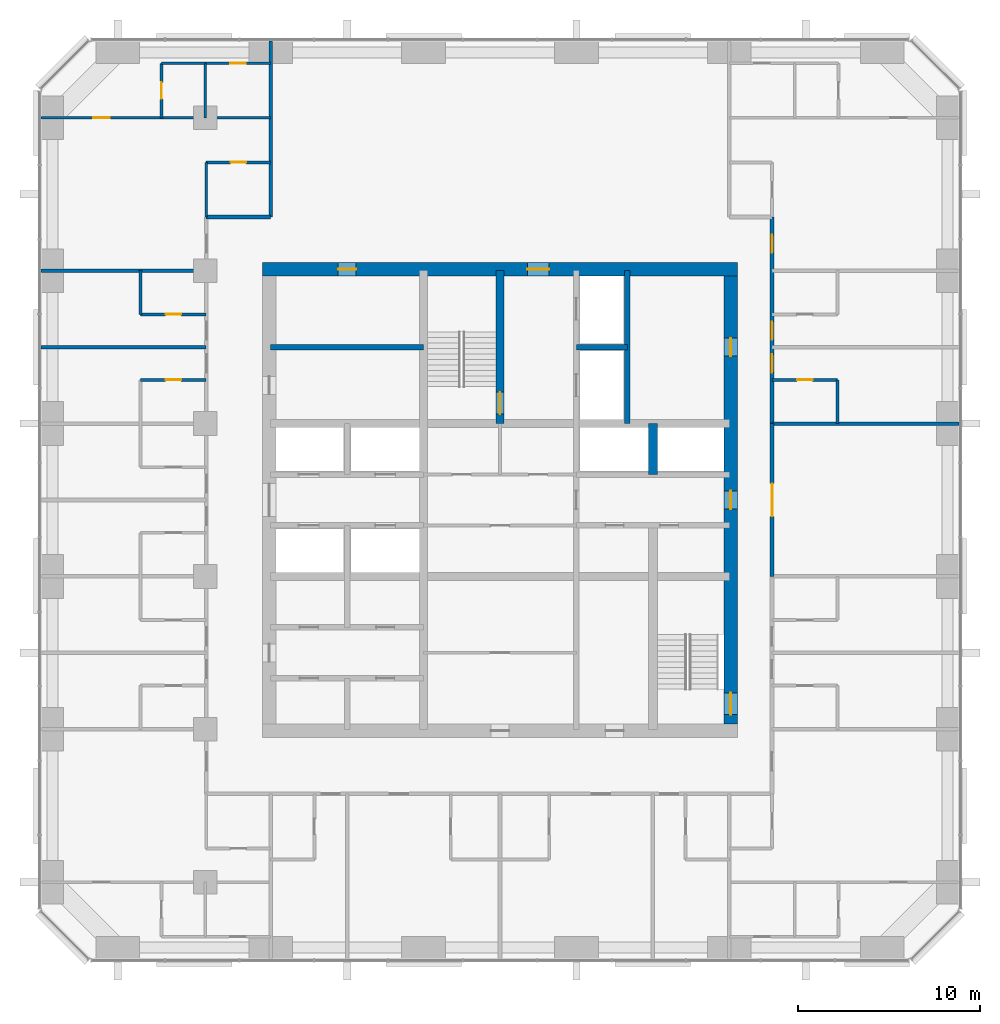
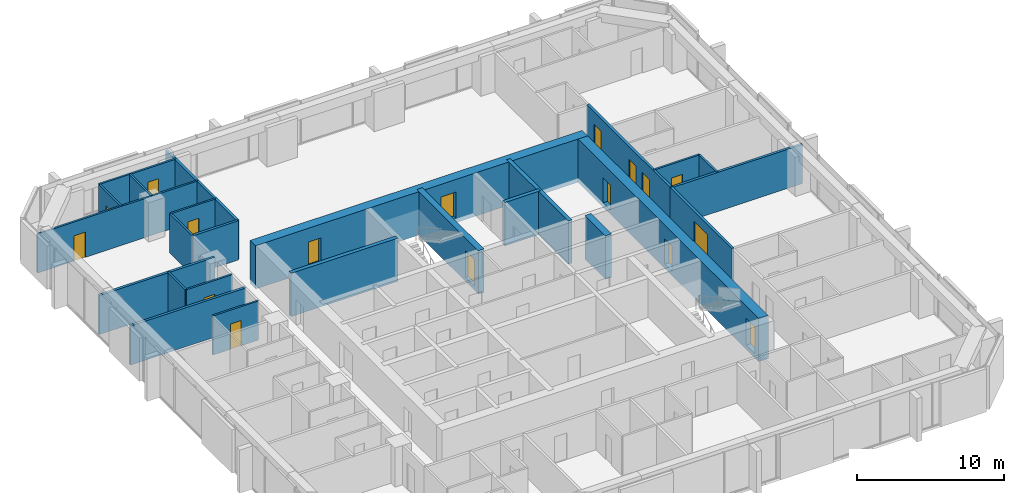
# One storey, part 11 of 13: 26 walls, 17 doors, 17 openings.
"""IFC4 building model written with IfcOpenShell, lengths in metres."""

from ifc_helpers import new_model, si_unit, direction, frame, frame_2d, origin, place, context, subcontext, project, spatial, rectangle, extrude, material, layer, layer_set, type_object, element, fill, save


model = new_model("IFC4")

# Units and contexts
model_context = context("Model", 3, precision=1e-05, world=origin(), true_north=direction((0.0, 1.0)))
body_context = subcontext(model_context, "Body", "Model", "MODEL_VIEW")
ifc_project = project(units=[si_unit("LENGTHUNIT", "METRE"), si_unit("AREAUNIT", "SQUARE_METRE"), si_unit("VOLUMEUNIT", "CUBIC_METRE"), si_unit("PLANEANGLEUNIT", "RADIAN"), si_unit("MASSUNIT", "GRAM", prefix="KILO")], contexts=[model_context])

# Site, building, storey
site_placement = place(None, origin())
site = spatial("IfcSite", under=ifc_project, at=site_placement, CompositionType="ELEMENT")
building_placement = place(site_placement, origin())
building = spatial("IfcBuilding", under=site, at=building_placement, Name="Dunama Terrace Hotel", CompositionType="ELEMENT")
storey_placement = place(building_placement, frame((0.0, 0.0, 169.800048828125)))
storey = spatial("IfcBuildingStorey", under=building, at=storey_placement, Name="L43", CompositionType="ELEMENT", Elevation=169.800048828125)

# Walls
ifc_material_1 = material(Name="Gypsum board partition", Category="masonry")
ifc_layer_1 = layer(ifc_material_1, 0.14990234375)
ifc_layer_set_1 = layer_set([ifc_layer_1], Name="Bathroom partition 150")
wall_type_1 = type_object("IfcWallType", Name="Bathroom partition 150", PredefinedType="PARTITIONING", material=ifc_layer_set_1)
wall_1_placement = place(storey_placement, frame((9.64990234375, 39.60009765625, 0.0), z_axis=(0.0, 0.0, 1.0), x_axis=(0.0, 1.0, 0.0)))
element("IfcWall", 1, at=wall_1_placement, inside=storey, type_object=wall_type_1, Name="Bathroom partition 150 L43", PredefinedType="PARTITIONING", context=body_context, shape_type="SweptSolid", body=[
    extrude(rectangle(XDim=2.39990234375, YDim=0.14990234375, at=frame_2d((1.199951171875, 0.0))), origin(), (0.0, 0.0, 1.0), 3.25),
])
wall_2_placement = place(storey_placement, frame((13.25, 44.949951171875, 0.0), z_axis=(0.0, 0.0, 1.0), x_axis=(0.0, 1.0, 0.0)))
element("IfcWall", 2, at=wall_2_placement, inside=storey, type_object=wall_type_1, Name="Bathroom partition 150 L43", PredefinedType="PARTITIONING", context=body_context, shape_type="SweptSolid", body=[
    extrude(rectangle(XDim=3.0, YDim=0.14990234375, at=frame_2d((1.5, 0.0))), origin(), (0.0, 0.0, 1.0), 3.25),
])
wall_3_placement = place(storey_placement, frame((47.949951171875, 33.60009765625, 0.0), z_axis=(0.0, 0.0, 1.0), x_axis=(0.0, 1.0, 0.0)))
element("IfcWall", 3, at=wall_3_placement, inside=storey, type_object=wall_type_1, Name="Bathroom partition 150 L43", PredefinedType="PARTITIONING", context=body_context, shape_type="SweptSolid", body=[
    extrude(rectangle(XDim=2.39990234375, YDim=0.14990234375, at=frame_2d((1.199951171875, 0.0))), origin(), (0.0, 0.0, 1.0), 3.25),
])

# Wall, opening, door
wall_4_placement = place(storey_placement, frame((9.64990234375, 36.0, 0.0), z_axis=(0.0, 0.0, 1.0), x_axis=(1.0, 0.0, 0.0)))
wall_4 = element("IfcWall", 4, at=wall_4_placement, inside=storey, type_object=wall_type_1, Name="Bathroom partition 150 L43", PredefinedType="PARTITIONING", context=body_context, shape_type="SweptSolid", body=[
    extrude(rectangle(XDim=3.60009765625, YDim=0.14990234375, at=frame_2d((1.800048828125, 0.0))), origin(), (0.0, 0.0, 1.0), 3.25),
])
opening_1_placement = place(wall_4_placement, frame((1.375, 0.0, 0.0)))
opening_1 = element("IfcOpeningElement", 5, at=opening_1_placement, cuts=wall_4, Name="Opening L42-44-035", PredefinedType="OPENING", context=body_context, shape_type="SweptSolid", body=[
    extrude(rectangle(XDim=0.85009765625, YDim=2.10009765625, at=frame_2d((0.425048828125, 1.050048828125))), frame((0.0, 0.0849609375, 0.0), z_axis=(0.0, -1.0, 0.0), x_axis=(1.0, 0.0, 0.0)), (0.0, 0.0, 1.0), 0.169921875),
])
ifc_material_2 = material(Name="Timber door with steel frame", Category="steel")
door_type_1 = type_object("IfcDoorType", Name="Bathroom door 850", OperationType="SINGLE_SWING_LEFT", PredefinedType="DOOR", material=ifc_material_2)
door_1_placement = place(opening_1_placement, frame((0.85009765625, 0.0, 0.0), z_axis=(0.0, 0.0, 1.0), x_axis=(-1.0, 0.0, 0.0)))
door_1 = element("IfcDoor", 6, at=door_1_placement, inside=storey, type_object=door_type_1, Name="Door to en-suite bathroom L42-44-035, type D2", OperationType="SINGLE_SWING_LEFT", OverallHeight=2.10009765625, OverallWidth=0.85009765625, PredefinedType="DOOR", context=body_context, shape_type="SweptSolid", body=[
    extrude(rectangle(XDim=0.85009765625, YDim=2.10009765625, at=frame_2d((0.425048828125, 1.050048828125))), frame((0.0, 0.025146484375, 0.0), z_axis=(0.0, -1.0, 0.0), x_axis=(1.0, 0.0, 0.0)), (0.0, 0.0, 1.0), 0.050048828125),
])
fill(opening_1, door_1)

wall_5_placement = place(storey_placement, frame((44.35009765625, 36.0, 0.0), z_axis=(0.0, 0.0, 1.0), x_axis=(1.0, 0.0, 0.0)))
wall_5 = element("IfcWall", 7, at=wall_5_placement, inside=storey, type_object=wall_type_1, Name="Bathroom partition 150 L43", PredefinedType="PARTITIONING", context=body_context, shape_type="SweptSolid", body=[
    extrude(rectangle(XDim=3.599853515625, YDim=0.14990234375, at=frame_2d((1.7998046875, 0.0))), origin(), (0.0, 0.0, 1.0), 3.25),
])
opening_2_placement = place(wall_5_placement, frame((1.375, 0.0, 0.0)))
opening_2 = element("IfcOpeningElement", 8, at=opening_2_placement, cuts=wall_5, Name="Opening L42-44-023", PredefinedType="OPENING", context=body_context, shape_type="SweptSolid", body=[
    extrude(rectangle(XDim=0.85009765625, YDim=2.10009765625, at=frame_2d((0.425048828125, 1.050048828125))), frame((0.0, 0.0849609375, 0.0), z_axis=(0.0, -1.0, 0.0), x_axis=(1.0, 0.0, 0.0)), (0.0, 0.0, 1.0), 0.169921875),
])
door_2_placement = place(opening_2_placement, frame((0.85009765625, 0.0, 0.0), z_axis=(0.0, 0.0, 1.0), x_axis=(-1.0, 0.0, 0.0)))
door_2 = element("IfcDoor", 9, at=door_2_placement, inside=storey, type_object=door_type_1, Name="Door to en-suite bathroom L42-44-023, type D2", OperationType="SINGLE_SWING_RIGHT", OverallHeight=2.10009765625, OverallWidth=0.85009765625, PredefinedType="DOOR", context=body_context, shape_type="SweptSolid", body=[
    extrude(rectangle(XDim=0.85009765625, YDim=2.10009765625, at=frame_2d((0.425048828125, 1.050048828125))), frame((0.0, 0.025146484375, 0.0), z_axis=(0.0, -1.0, 0.0), x_axis=(1.0, 0.0, 0.0)), (0.0, 0.0, 1.0), 0.050048828125),
])
fill(opening_2, door_2)

wall_6_placement = place(storey_placement, frame((9.64990234375, 39.60009765625, 0.0), z_axis=(0.0, 0.0, 1.0), x_axis=(1.0, 0.0, 0.0)))
wall_6 = element("IfcWall", 10, at=wall_6_placement, inside=storey, type_object=wall_type_1, Name="Bathroom partition 150 L43", PredefinedType="PARTITIONING", context=body_context, shape_type="SweptSolid", body=[
    extrude(rectangle(XDim=3.60009765625, YDim=0.14990234375, at=frame_2d((1.800048828125, 0.0))), origin(), (0.0, 0.0, 1.0), 3.25),
])
opening_3_placement = place(wall_6_placement, frame((1.375, 0.0, 0.0)))
opening_3 = element("IfcOpeningElement", 11, at=opening_3_placement, cuts=wall_6, Name="Opening L42-44-037", PredefinedType="OPENING", context=body_context, shape_type="SweptSolid", body=[
    extrude(rectangle(XDim=0.85009765625, YDim=2.10009765625, at=frame_2d((0.425048828125, 1.050048828125))), frame((0.0, 0.0849609375, 0.0), z_axis=(0.0, -1.0, 0.0), x_axis=(1.0, 0.0, 0.0)), (0.0, 0.0, 1.0), 0.169921875),
])
door_3_placement = place(opening_3_placement, origin())
door_3 = element("IfcDoor", 12, at=door_3_placement, inside=storey, type_object=door_type_1, Name="Door to en-suite bathroom L42-44-037, type D2", OperationType="SINGLE_SWING_RIGHT", OverallHeight=2.10009765625, OverallWidth=0.85009765625, PredefinedType="DOOR", context=body_context, shape_type="SweptSolid", body=[
    extrude(rectangle(XDim=0.85009765625, YDim=2.10009765625, at=frame_2d((0.425048828125, 1.050048828125))), frame((0.0, 0.02490234375, 0.0), z_axis=(0.0, -1.0, 0.0), x_axis=(1.0, 0.0, 0.0)), (0.0, 0.0, 1.0), 0.050048828125),
])
fill(opening_3, door_3)

wall_7_placement = place(storey_placement, frame((13.25, 47.949951171875, 0.0), z_axis=(0.0, 0.0, 1.0), x_axis=(1.0, 0.0, 0.0)))
wall_7 = element("IfcWall", 13, at=wall_7_placement, inside=storey, type_object=wall_type_1, Name="Bathroom partition 150 L43", PredefinedType="PARTITIONING", context=body_context, shape_type="SweptSolid", body=[
    extrude(rectangle(XDim=3.550048828125, YDim=0.14990234375, at=frame_2d((1.77490234375, 0.0))), origin(), (0.0, 0.0, 1.0), 3.25),
])
opening_4_placement = place(wall_7_placement, frame((1.35009765625, 0.0, 0.0)))
opening_4 = element("IfcOpeningElement", 14, at=opening_4_placement, cuts=wall_7, Name="Opening L42-44-054", PredefinedType="OPENING", context=body_context, shape_type="SweptSolid", body=[
    extrude(rectangle(XDim=0.85009765625, YDim=2.10009765625, at=frame_2d((0.425048828125, 1.050048828125))), frame((0.0, 0.0849609375, 0.0), z_axis=(0.0, -1.0, 0.0), x_axis=(1.0, 0.0, 0.0)), (0.0, 0.0, 1.0), 0.169921875),
])
door_4_placement = place(opening_4_placement, frame((0.85009765625, 0.0, 0.0), z_axis=(0.0, 0.0, 1.0), x_axis=(-1.0, 0.0, 0.0)))
door_4 = element("IfcDoor", 15, at=door_4_placement, inside=storey, type_object=door_type_1, Name="Door to powder room L42-44-054, type D2", OperationType="SINGLE_SWING_LEFT", OverallHeight=2.10009765625, OverallWidth=0.85009765625, PredefinedType="DOOR", context=body_context, shape_type="SweptSolid", body=[
    extrude(rectangle(XDim=0.85009765625, YDim=2.10009765625, at=frame_2d((0.425048828125, 1.050048828125))), frame((0.0, 0.025146484375, 0.0), z_axis=(0.0, -1.0, 0.0), x_axis=(1.0, 0.0, 0.0)), (0.0, 0.0, 1.0), 0.050048828125),
])
fill(opening_4, door_4)

wall_8_placement = place(storey_placement, frame((13.199951171875, 53.39990234375, 0.0), z_axis=(0.0, 0.0, 1.0), x_axis=(1.0, 0.0, 0.0)))
wall_8 = element("IfcWall", 16, at=wall_8_placement, inside=storey, type_object=wall_type_1, Name="Bathroom partition 150 L43", PredefinedType="PARTITIONING", context=body_context, shape_type="SweptSolid", body=[
    extrude(rectangle(XDim=3.60009765625, YDim=0.14990234375, at=frame_2d((1.800048828125, 0.0))), origin(), (0.0, 0.0, 1.0), 3.25),
])
opening_5_placement = place(wall_8_placement, frame((1.375, 0.0, 0.0)))
opening_5 = element("IfcOpeningElement", 17, at=opening_5_placement, cuts=wall_8, Name="Opening L42-44-056", PredefinedType="OPENING", context=body_context, shape_type="SweptSolid", body=[
    extrude(rectangle(XDim=0.85009765625, YDim=2.10009765625, at=frame_2d((0.425048828125, 1.050048828125))), frame((0.0, 0.0849609375, 0.0), z_axis=(0.0, -1.0, 0.0), x_axis=(1.0, 0.0, 0.0)), (0.0, 0.0, 1.0), 0.169921875),
])
door_5_placement = place(opening_5_placement, frame((0.85009765625, 0.0, 0.0), z_axis=(0.0, 0.0, 1.0), x_axis=(-1.0, 0.0, 0.0)))
door_5 = element("IfcDoor", 18, at=door_5_placement, inside=storey, type_object=door_type_1, Name="Door to en-suite bathroom L42-44-056, type D2", OperationType="SINGLE_SWING_LEFT", OverallHeight=2.10009765625, OverallWidth=0.85009765625, PredefinedType="DOOR", context=body_context, shape_type="SweptSolid", body=[
    extrude(rectangle(XDim=0.85009765625, YDim=2.10009765625, at=frame_2d((0.425048828125, 1.050048828125))), frame((0.0, 0.025146484375, 0.0), z_axis=(0.0, -1.0, 0.0), x_axis=(1.0, 0.0, 0.0)), (0.0, 0.0, 1.0), 0.050048828125),
])
fill(opening_5, door_5)

# Walls
ifc_material_3 = material(Name="Concrete C50/60", Category="concrete")
ifc_layer_2 = layer(ifc_material_3, 0.300048828125)
ifc_layer_set_2 = layer_set([ifc_layer_2], Name="Core inner wall 300")
wall_type_2 = type_object("IfcWallType", Name="Core inner wall 300", PredefinedType="SHEAR", material=ifc_layer_set_2)
for number, where, z_axis, x_axis, name in (
    (19, (36.39990234375, 33.60009765625, -0.35009765625), (0.0, 0.0, 1.0), (0.0, 1.0, 0.0), "Core inner wall 300 L43"),
    (20, (16.800048828125, 37.800048828125, -0.35009765625), (0.0, 0.0, 1.0), (1.0, 0.0, 0.0), "Core inner wall 300 L43"),
):
    element("IfcWall", number, at=place(storey_placement, frame(where, z_axis=z_axis, x_axis=x_axis)), inside=storey, type_object=wall_type_2, Name=name, PredefinedType="SHEAR", context=body_context, shape_type="SweptSolid", body=[
        extrude(rectangle(XDim=8.39990234375, YDim=0.300048828125, at=frame_2d((4.199951171875, 0.0))), origin(), (0.0, 0.0, 1.0), 3.60009765625),
    ])
wall_9_placement = place(storey_placement, frame((33.60009765625, 37.800048828125, -0.35009765625), z_axis=(0.0, 0.0, 1.0), x_axis=(1.0, 0.0, 0.0)))
element("IfcWall", 21, at=wall_9_placement, inside=storey, type_object=wall_type_2, Name="Core inner wall 300 L43", PredefinedType="SHEAR", context=body_context, shape_type="SweptSolid", body=[
    extrude(rectangle(XDim=2.7998046875, YDim=0.300048828125, at=frame_2d((1.39990234375, 0.0))), origin(), (0.0, 0.0, 1.0), 3.60009765625),
])

# Wall, opening, door
ifc_material_4 = material(Name="Concrete C50/60", Category="concrete")
ifc_layer_3 = layer(ifc_material_4, 0.449951171875)
ifc_layer_set_3 = layer_set([ifc_layer_3], Name="Core inner wall 450")
wall_type_3 = type_object("IfcWallType", Name="Core inner wall 450", PredefinedType="SHEAR", material=ifc_layer_set_3)
wall_10_placement = place(storey_placement, frame((29.39990234375, 33.60009765625, -0.35009765625), z_axis=(0.0, 0.0, 1.0), x_axis=(0.0, 1.0, 0.0)))
wall_10 = element("IfcWall", 22, at=wall_10_placement, inside=storey, type_object=wall_type_3, Name="Core inner wall 450 L43", PredefinedType="SHEAR", context=body_context, shape_type="SweptSolid", body=[
    extrude(rectangle(XDim=8.39990234375, YDim=0.449951171875, at=frame_2d((4.199951171875, 0.0))), origin(), (0.0, 0.0, 1.0), 3.60009765625),
])
opening_6_placement = place(wall_10_placement, frame((0.52490234375, 0.0, 0.35009765625)))
opening_6 = element("IfcOpeningElement", 23, at=opening_6_placement, cuts=wall_10, Name="Opening L42-44-001", PredefinedType="OPENING", context=body_context, shape_type="SweptSolid", body=[
    extrude(rectangle(XDim=1.199951171875, YDim=2.199951171875, at=frame_2d((0.60009765625, 1.10009765625))), frame((0.0, 0.23486328125, 0.0), z_axis=(0.0, -1.0, 0.0), x_axis=(1.0, 0.0, 0.0)), (0.0, 0.0, 1.0), 0.469970703125),
])
ifc_material_5 = material(Name="Timber door with steel frame", Category="steel")
door_type_2 = type_object("IfcDoorType", Name="Stair door 1200", OperationType="SINGLE_SWING_LEFT", PredefinedType="DOOR", material=ifc_material_5)
door_6_placement = place(opening_6_placement, origin())
door_6 = element("IfcDoor", 24, at=door_6_placement, inside=storey, type_object=door_type_2, Name="Stair door ST1 L42-44-001, type D5", OperationType="SINGLE_SWING_LEFT", OverallHeight=2.199951171875, OverallWidth=1.199951171875, PredefinedType="DOOR", context=body_context, shape_type="SweptSolid", body=[
    extrude(rectangle(XDim=1.199951171875, YDim=2.199951171875, at=frame_2d((0.60009765625, 1.10009765625))), frame((0.0, 0.02490234375, 0.0), z_axis=(0.0, -1.0, 0.0), x_axis=(1.0, 0.0, 0.0)), (0.0, 0.0, 1.0), 0.050048828125),
])
fill(opening_6, door_6)

# Wall
ifc_material_6 = material(Name="Concrete C50/60", Category="concrete")
ifc_layer_4 = layer(ifc_material_6, 0.5)
ifc_layer_set_4 = layer_set([ifc_layer_4], Name="Core inner wall 500")
wall_type_4 = type_object("IfcWallType", Name="Core inner wall 500", PredefinedType="SHEAR", material=ifc_layer_set_4)
wall_11_placement = place(storey_placement, frame((37.800048828125, 30.800048828125, -0.35009765625), z_axis=(0.0, 0.0, 1.0), x_axis=(0.0, 1.0, 0.0)))
element("IfcWall", 25, at=wall_11_placement, inside=storey, type_object=wall_type_4, Name="Core inner wall 500 L43", PredefinedType="SHEAR", context=body_context, shape_type="SweptSolid", body=[
    extrude(rectangle(XDim=2.800048828125, YDim=0.5, at=frame_2d((1.39990234375, 0.0))), origin(), (0.0, 0.0, 1.0), 3.60009765625),
])

# Wall, openings, doors
ifc_material_7 = material(Name="Concrete C60/75", Category="concrete")
ifc_layer_5 = layer(ifc_material_7, 0.75)
ifc_layer_set_5 = layer_set([ifc_layer_5], Name="Core wall 750")
wall_type_5 = type_object("IfcWallType", Name="Core wall 750", PredefinedType="SHEAR", material=ifc_layer_set_5)
wall_12_placement = place(storey_placement, frame((42.074951171875, 17.10009765625, -0.35009765625), z_axis=(0.0, 0.0, 1.0), x_axis=(0.0, 1.0, 0.0)))
wall_12 = element("IfcWall", 26, at=wall_12_placement, inside=storey, type_object=wall_type_5, Name="Core wall east L43", PredefinedType="SHEAR", context=body_context, shape_type="SweptSolid", body=[
    extrude(rectangle(XDim=24.599853515625, YDim=0.75, at=frame_2d((12.2998046875, 0.0))), origin(), (0.0, 0.0, 1.0), 3.60009765625),
])
opening_7_placement = place(wall_12_placement, frame((0.5, 0.0, 0.35009765625)))
opening_7 = element("IfcOpeningElement", 27, at=opening_7_placement, cuts=wall_12, Name="Opening L42-44-002", PredefinedType="OPENING", context=body_context, shape_type="SweptSolid", body=[
    extrude(rectangle(XDim=1.199951171875, YDim=2.199951171875, at=frame_2d((0.60009765625, 1.10009765625))), frame((0.0, 0.385009765625, 0.0), z_axis=(0.0, -1.0, 0.0), x_axis=(1.0, 0.0, 0.0)), (0.0, 0.0, 1.0), 0.77001953125),
])
opening_8_placement = place(wall_12_placement, frame((11.800048828125, 0.0, 0.35009765625)))
opening_8 = element("IfcOpeningElement", 28, at=opening_8_placement, cuts=wall_12, Name="Opening L42-44-072", PredefinedType="OPENING", context=body_context, shape_type="SweptSolid", body=[
    extrude(rectangle(XDim=1.0, YDim=2.10009765625, at=frame_2d((0.5, 1.050048828125))), frame((0.0, 0.385009765625, 0.0), z_axis=(0.0, -1.0, 0.0), x_axis=(1.0, 0.0, 0.0)), (0.0, 0.0, 1.0), 0.77001953125),
])
opening_9_placement = place(wall_12_placement, frame((20.199951171875, 0.0, 0.35009765625)))
opening_9 = element("IfcOpeningElement", 29, at=opening_9_placement, cuts=wall_12, Name="Opening L42-44-074", PredefinedType="OPENING", context=body_context, shape_type="SweptSolid", body=[
    extrude(rectangle(XDim=1.0, YDim=2.10009765625, at=frame_2d((0.5, 1.050048828125))), frame((0.0, 0.385009765625, 0.0), z_axis=(0.0, -1.0, 0.0), x_axis=(1.0, 0.0, 0.0)), (0.0, 0.0, 1.0), 0.77001953125),
])
ifc_material_8 = material(Name="Timber door with steel frame", Category="steel")
door_type_3 = type_object("IfcDoorType", Name="Service door 1000", OperationType="SINGLE_SWING_LEFT", PredefinedType="DOOR", material=ifc_material_8)
door_7_placement = place(opening_8_placement, origin())
door_7 = element("IfcDoor", 30, at=door_7_placement, inside=storey, type_object=door_type_3, Name="Door to service lobby L42-44-072, type D7", OperationType="SINGLE_SWING_RIGHT", OverallHeight=2.10009765625, OverallWidth=1.0, PredefinedType="DOOR", context=body_context, shape_type="SweptSolid", body=[
    extrude(rectangle(XDim=1.0, YDim=2.10009765625, at=frame_2d((0.5, 1.050048828125))), frame((0.0, 0.02490234375, 0.0), z_axis=(0.0, -1.0, 0.0), x_axis=(1.0, 0.0, 0.0)), (0.0, 0.0, 1.0), 0.050048828125),
])
fill(opening_8, door_7)
door_8_placement = place(opening_9_placement, origin())
door_8 = element("IfcDoor", 31, at=door_8_placement, inside=storey, type_object=door_type_3, Name="Door to ice and vending room L42-44-074, type D7", OperationType="SINGLE_SWING_LEFT", OverallHeight=2.10009765625, OverallWidth=1.0, PredefinedType="DOOR", context=body_context, shape_type="SweptSolid", body=[
    extrude(rectangle(XDim=1.0, YDim=2.10009765625, at=frame_2d((0.5, 1.050048828125))), frame((0.0, 0.02490234375, 0.0), z_axis=(0.0, -1.0, 0.0), x_axis=(1.0, 0.0, 0.0)), (0.0, 0.0, 1.0), 0.050048828125),
])
fill(opening_9, door_8)
door_9_placement = place(opening_7_placement, origin())
door_9 = element("IfcDoor", 32, at=door_9_placement, inside=storey, type_object=door_type_2, Name="Stair door ST2 L42-44-002, type D5", OperationType="SINGLE_SWING_LEFT", OverallHeight=2.199951171875, OverallWidth=1.199951171875, PredefinedType="DOOR", context=body_context, shape_type="SweptSolid", body=[
    extrude(rectangle(XDim=1.199951171875, YDim=2.199951171875, at=frame_2d((0.60009765625, 1.10009765625))), frame((0.0, 0.02490234375, 0.0), z_axis=(0.0, -1.0, 0.0), x_axis=(1.0, 0.0, 0.0)), (0.0, 0.0, 1.0), 0.050048828125),
])
fill(opening_7, door_9)

wall_13_placement = place(storey_placement, frame((42.449951171875, 42.074951171875, -0.35009765625), z_axis=(0.0, 0.0, 1.0), x_axis=(-1.0, 0.0, 0.0)))
wall_13 = element("IfcWall", 33, at=wall_13_placement, inside=storey, type_object=wall_type_5, Name="Core wall north L43", PredefinedType="SHEAR", context=body_context, shape_type="SweptSolid", body=[
    extrude(rectangle(XDim=26.099853515625, YDim=0.75, at=frame_2d((13.0498046875, 0.0))), origin(), (0.0, 0.0, 1.0), 3.60009765625),
])
opening_10_placement = place(wall_13_placement, frame((20.949951171875, 0.0, 0.35009765625)))
opening_10 = element("IfcOpeningElement", 34, at=opening_10_placement, cuts=wall_13, Name="Opening L42-44-065", PredefinedType="OPENING", context=body_context, shape_type="SweptSolid", body=[
    extrude(rectangle(XDim=1.0, YDim=2.10009765625, at=frame_2d((0.5, 1.050048828125))), frame((0.0, 0.385009765625, 0.0), z_axis=(0.0, -1.0, 0.0), x_axis=(1.0, 0.0, 0.0)), (0.0, 0.0, 1.0), 0.77001953125),
])
opening_11_placement = place(wall_13_placement, frame((10.35009765625, 0.0, 0.35009765625)))
opening_11 = element("IfcOpeningElement", 35, at=opening_11_placement, cuts=wall_13, Name="Opening L42-44-073", PredefinedType="OPENING", context=body_context, shape_type="SweptSolid", body=[
    extrude(rectangle(XDim=1.199951171875, YDim=2.199951171875, at=frame_2d((0.60009765625, 1.10009765625))), frame((0.0, 0.385009765625, 0.0), z_axis=(0.0, -1.0, 0.0), x_axis=(1.0, 0.0, 0.0)), (0.0, 0.0, 1.0), 0.77001953125),
])
ifc_material_9 = material(Name="Timber door with steel frame", Category="steel")
door_type_4 = type_object("IfcDoorType", Name="Firefighting lobby door 1200", OperationType="SINGLE_SWING_LEFT", PredefinedType="DOOR", material=ifc_material_9)
door_10_placement = place(opening_11_placement, origin())
door_10 = element("IfcDoor", 36, at=door_10_placement, inside=storey, type_object=door_type_4, Name="Door to firefighting lobby L42-44-073, type D4", OperationType="SINGLE_SWING_RIGHT", OverallHeight=2.199951171875, OverallWidth=1.199951171875, PredefinedType="DOOR", context=body_context, shape_type="SweptSolid", body=[
    extrude(rectangle(XDim=1.199951171875, YDim=2.199951171875, at=frame_2d((0.60009765625, 1.10009765625))), frame((0.0, 0.02490234375, 0.0), z_axis=(0.0, -1.0, 0.0), x_axis=(1.0, 0.0, 0.0)), (0.0, 0.0, 1.0), 0.050048828125),
])
fill(opening_11, door_10)
door_11_placement = place(opening_10_placement, origin())
door_11 = element("IfcDoor", 37, at=door_11_placement, inside=storey, type_object=door_type_3, Name="Door to communications and riser room L42-44-065, type D7", OperationType="SINGLE_SWING_LEFT", OverallHeight=2.10009765625, OverallWidth=1.0, PredefinedType="DOOR", context=body_context, shape_type="SweptSolid", body=[
    extrude(rectangle(XDim=1.0, YDim=2.10009765625, at=frame_2d((0.5, 1.050048828125))), frame((0.0, 0.02490234375, 0.0), z_axis=(0.0, -1.0, 0.0), x_axis=(1.0, 0.0, 0.0)), (0.0, 0.0, 1.0), 0.050048828125),
])
fill(opening_10, door_11)

# Wall
ifc_material_10 = material(Name="Concrete blockwork", Category="masonry")
ifc_layer_6 = layer(ifc_material_10, 0.199951171875)
ifc_layer_set_6 = layer_set([ifc_layer_6], Name="Corridor partition 200")
wall_type_6 = type_object("IfcWallType", Name="Corridor partition 200", PredefinedType="PARTITIONING", material=ifc_layer_set_6)
wall_14_placement = place(storey_placement, frame((16.800048828125, 44.949951171875, 0.0), z_axis=(0.0, 0.0, 1.0), x_axis=(0.0, 1.0, 0.0)))
element("IfcWall", 38, at=wall_14_placement, inside=storey, type_object=wall_type_6, Name="Corridor partition 200 L43", PredefinedType="PARTITIONING", context=body_context, shape_type="SweptSolid", body=[
    extrude(rectangle(XDim=9.66796875, YDim=0.199951171875, at=frame_2d((4.833984375, 0.0))), origin(), (0.0, 0.0, 1.0), 3.25),
])

# Wall, opening, door
wall_15_placement = place(storey_placement, frame((44.35009765625, 25.199951171875, 0.0), z_axis=(0.0, 0.0, 1.0), x_axis=(0.0, 1.0, 0.0)))
wall_15 = element("IfcWall", 39, at=wall_15_placement, inside=storey, type_object=wall_type_6, Name="Corridor partition 200 L43", PredefinedType="PARTITIONING", context=body_context, shape_type="SweptSolid", body=[
    extrude(rectangle(XDim=8.400146484375, YDim=0.199951171875, at=frame_2d((4.2001953125, 0.0))), origin(), (0.0, 0.0, 1.0), 3.25),
])
opening_12_placement = place(wall_15_placement, frame((3.300048828125, 0.0, 0.0)))
opening_12 = element("IfcOpeningElement", 40, at=opening_12_placement, cuts=wall_15, Name="Opening L42-44-021", PredefinedType="OPENING", context=body_context, shape_type="SweptSolid", body=[
    extrude(rectangle(XDim=1.800048828125, YDim=2.39990234375, at=frame_2d((0.89990234375, 1.199951171875))), frame((0.0, 0.10986328125, 0.0), z_axis=(0.0, -1.0, 0.0), x_axis=(1.0, 0.0, 0.0)), (0.0, 0.0, 1.0), 0.219970703125),
])
ifc_material_11 = material(Name="Aluminium-framed glazed door", Category="aluminium")
door_type_5 = type_object("IfcDoorType", Name="Glazed double door 1800", OperationType="DOUBLE_DOOR_DOUBLE_SWING", PredefinedType="DOOR", material=ifc_material_11)
door_12_placement = place(opening_12_placement, origin())
door_12 = element("IfcDoor", 41, at=door_12_placement, inside=storey, type_object=door_type_5, Name="Door to boardroom L42-44-021, type D8", OperationType="DOUBLE_DOOR_DOUBLE_SWING", OverallHeight=2.39990234375, OverallWidth=1.800048828125, PredefinedType="DOOR", context=body_context, shape_type="SweptSolid", body=[
    extrude(rectangle(XDim=1.800048828125, YDim=2.39990234375, at=frame_2d((0.89990234375, 1.199951171875))), frame((0.0, 0.02490234375, 0.0), z_axis=(0.0, -1.0, 0.0), x_axis=(1.0, 0.0, 0.0)), (0.0, 0.0, 1.0), 0.050048828125),
])
fill(opening_12, door_12)

# Wall
wall_16_placement = place(storey_placement, frame((13.25, 44.949951171875, 0.0), z_axis=(0.0, 0.0, 1.0), x_axis=(1.0, 0.0, 0.0)))
element("IfcWall", 42, at=wall_16_placement, inside=storey, type_object=wall_type_6, Name="Corridor partition 200 L43", PredefinedType="PARTITIONING", context=body_context, shape_type="SweptSolid", body=[
    extrude(rectangle(XDim=3.550048828125, YDim=0.199951171875, at=frame_2d((1.77490234375, 0.0))), origin(), (0.0, 0.0, 1.0), 3.25),
])

# Wall, openings, doors
wall_17_placement = place(storey_placement, frame((44.35009765625, 44.949951171875, 0.0), z_axis=(0.0, 0.0, 1.0), x_axis=(0.0, -1.0, 0.0)))
wall_17 = element("IfcWall", 43, at=wall_17_placement, inside=storey, type_object=wall_type_6, Name="Corridor partition 200 L43", PredefinedType="PARTITIONING", context=body_context, shape_type="SweptSolid", body=[
    extrude(rectangle(XDim=11.349853515625, YDim=0.199951171875, at=frame_2d((5.6748046875, 0.0))), origin(), (0.0, 0.0, 1.0), 3.25),
])
opening_13_placement = place(wall_17_placement, frame((7.550048828125, 0.0, 0.0)))
opening_13 = element("IfcOpeningElement", 44, at=opening_13_placement, cuts=wall_17, Name="Opening L42-44-022", PredefinedType="OPENING", context=body_context, shape_type="SweptSolid", body=[
    extrude(rectangle(XDim=1.0, YDim=2.199951171875, at=frame_2d((0.5, 1.10009765625))), frame((0.0, 0.10986328125, 0.0), z_axis=(0.0, -1.0, 0.0), x_axis=(1.0, 0.0, 0.0)), (0.0, 0.0, 1.0), 0.219970703125),
])
opening_14_placement = place(wall_17_placement, frame((5.75, 0.0, 0.0)))
opening_14 = element("IfcOpeningElement", 45, at=opening_14_placement, cuts=wall_17, Name="Opening L42-44-024", PredefinedType="OPENING", context=body_context, shape_type="SweptSolid", body=[
    extrude(rectangle(XDim=1.0, YDim=2.199951171875, at=frame_2d((0.5, 1.10009765625))), frame((0.0, 0.10986328125, 0.0), z_axis=(0.0, -1.0, 0.0), x_axis=(1.0, 0.0, 0.0)), (0.0, 0.0, 1.0), 0.219970703125),
])
opening_15_placement = place(wall_17_placement, frame((0.97509765625, 0.0, 0.0)))
opening_15 = element("IfcOpeningElement", 46, at=opening_15_placement, cuts=wall_17, Name="Opening L42-44-048", PredefinedType="OPENING", context=body_context, shape_type="SweptSolid", body=[
    extrude(rectangle(XDim=1.0, YDim=2.199951171875, at=frame_2d((0.5, 1.10009765625))), frame((0.0, 0.10986328125, 0.0), z_axis=(0.0, -1.0, 0.0), x_axis=(1.0, 0.0, 0.0)), (0.0, 0.0, 1.0), 0.219970703125),
])
ifc_material_12 = material(Name="Timber door with steel frame", Category="steel")
door_type_6 = type_object("IfcDoorType", Name="Guest room door 1000", OperationType="SINGLE_SWING_LEFT", PredefinedType="DOOR", material=ifc_material_12)
door_13_placement = place(opening_13_placement, origin())
door_13 = element("IfcDoor", 47, at=door_13_placement, inside=storey, type_object=door_type_6, Name="Door to club room L42-44-022, type D1", OperationType="SINGLE_SWING_LEFT", OverallHeight=2.199951171875, OverallWidth=1.0, PredefinedType="DOOR", context=body_context, shape_type="SweptSolid", body=[
    extrude(rectangle(XDim=1.0, YDim=2.199951171875, at=frame_2d((0.5, 1.10009765625))), frame((0.0, 0.02490234375, 0.0), z_axis=(0.0, -1.0, 0.0), x_axis=(1.0, 0.0, 0.0)), (0.0, 0.0, 1.0), 0.050048828125),
])
fill(opening_13, door_13)
door_14_placement = place(opening_14_placement, origin())
door_14 = element("IfcDoor", 48, at=door_14_placement, inside=storey, type_object=door_type_6, Name="Door to club room L42-44-024, type D1", OperationType="SINGLE_SWING_RIGHT", OverallHeight=2.199951171875, OverallWidth=1.0, PredefinedType="DOOR", context=body_context, shape_type="SweptSolid", body=[
    extrude(rectangle(XDim=1.0, YDim=2.199951171875, at=frame_2d((0.5, 1.10009765625))), frame((0.0, 0.02490234375, 0.0), z_axis=(0.0, -1.0, 0.0), x_axis=(1.0, 0.0, 0.0)), (0.0, 0.0, 1.0), 0.050048828125),
])
fill(opening_14, door_14)
door_15_placement = place(opening_15_placement, origin())
door_15 = element("IfcDoor", 49, at=door_15_placement, inside=storey, type_object=door_type_6, Name="Door to corner suite living room L42-44-048, type D1", OperationType="SINGLE_SWING_RIGHT", OverallHeight=2.199951171875, OverallWidth=1.0, PredefinedType="DOOR", context=body_context, shape_type="SweptSolid", body=[
    extrude(rectangle(XDim=1.0, YDim=2.199951171875, at=frame_2d((0.5, 1.10009765625))), frame((0.0, 0.02490234375, 0.0), z_axis=(0.0, -1.0, 0.0), x_axis=(1.0, 0.0, 0.0)), (0.0, 0.0, 1.0), 0.050048828125),
])
fill(opening_15, door_15)

# Walls
ifc_material_13 = material(Name="Concrete blockwork", Category="masonry")
ifc_layer_7 = layer(ifc_material_13, 0.199951171875)
ifc_layer_set_7 = layer_set([ifc_layer_7], Name="Party wall 200")
wall_type_7 = type_object("IfcWallType", Name="Party wall 200", PredefinedType="PARTITIONING", material=ifc_layer_set_7)
wall_18_placement = place(storey_placement, frame((44.35009765625, 33.60009765625, 0.0), z_axis=(0.0, 0.0, 1.0), x_axis=(1.0, 0.0, 0.0)))
element("IfcWall", 50, at=wall_18_placement, inside=storey, type_object=wall_type_7, Name="Party wall 200 L43", PredefinedType="PARTITIONING", context=body_context, shape_type="SweptSolid", body=[
    extrude(rectangle(XDim=10.267822265625, YDim=0.199951171875, at=frame_2d((5.1337890625, 0.0))), origin(), (0.0, 0.0, 1.0), 3.25),
])
for number, where, z_axis, x_axis, name in (
    (51, (4.181884765625, 37.800048828125, 0.0), (0.0, 0.0, 1.0), (1.0, 0.0, 0.0), "Party wall 200 L43"),
    (52, (4.181884765625, 42.0, 0.0), (0.0, 0.0, 1.0), (1.0, 0.0, 0.0), "Party wall 200 L43"),
):
    element("IfcWall", number, at=place(storey_placement, frame(where, z_axis=z_axis, x_axis=x_axis)), inside=storey, type_object=wall_type_7, Name=name, PredefinedType="PARTITIONING", context=body_context, shape_type="SweptSolid", body=[
        extrude(rectangle(XDim=9.068115234375, YDim=0.199951171875, at=frame_2d((4.5341796875, 0.0))), origin(), (0.0, 0.0, 1.0), 3.25),
    ])

# Wall, opening, door
ifc_material_14 = material(Name="Gypsum board partition", Category="masonry")
ifc_layer_8 = layer(ifc_material_14, 0.14990234375)
ifc_layer_set_8 = layer_set([ifc_layer_8], Name="Room partition 150")
wall_type_8 = type_object("IfcWallType", Name="Room partition 150", PredefinedType="PARTITIONING", material=ifc_layer_set_8)
wall_19_placement = place(storey_placement, frame((10.800048828125, 50.39990234375, 0.0), z_axis=(0.0, 0.0, 1.0), x_axis=(0.0, 1.0, 0.0)))
wall_19 = element("IfcWall", 53, at=wall_19_placement, inside=storey, type_object=wall_type_8, Name="Room partition 150 L43", PredefinedType="PARTITIONING", context=body_context, shape_type="SweptSolid", body=[
    extrude(rectangle(XDim=3.0, YDim=0.14990234375, at=frame_2d((1.5, 0.0))), origin(), (0.0, 0.0, 1.0), 3.25),
])
opening_16_placement = place(wall_19_placement, frame((1.050048828125, 0.0, 0.0)))
opening_16 = element("IfcOpeningElement", 54, at=opening_16_placement, cuts=wall_19, Name="Opening L42-44-057", PredefinedType="OPENING", context=body_context, shape_type="SweptSolid", body=[
    extrude(rectangle(XDim=0.89990234375, YDim=2.10009765625, at=frame_2d((0.449951171875, 1.050048828125))), frame((0.0, 0.0849609375, 0.0), z_axis=(0.0, -1.0, 0.0), x_axis=(1.0, 0.0, 0.0)), (0.0, 0.0, 1.0), 0.169921875),
])
ifc_material_15 = material(Name="Timber door with steel frame", Category="steel")
door_type_7 = type_object("IfcDoorType", Name="Suite internal door 900", OperationType="SINGLE_SWING_LEFT", PredefinedType="DOOR", material=ifc_material_15)
door_16_placement = place(opening_16_placement, frame((0.89990234375, 0.0, 0.0), z_axis=(0.0, 0.0, 1.0), x_axis=(-1.0, 0.0, 0.0)))
door_16 = element("IfcDoor", 55, at=door_16_placement, inside=storey, type_object=door_type_7, Name="Door to dressing room L42-44-057, type D16", OperationType="SINGLE_SWING_RIGHT", OverallHeight=2.10009765625, OverallWidth=0.89990234375, PredefinedType="DOOR", context=body_context, shape_type="SweptSolid", body=[
    extrude(rectangle(XDim=0.89990234375, YDim=2.10009765625, at=frame_2d((0.449951171875, 1.050048828125))), frame((0.0, 0.025146484375, 0.0), z_axis=(0.0, -1.0, 0.0), x_axis=(1.0, 0.0, 0.0)), (0.0, 0.0, 1.0), 0.050048828125),
])
fill(opening_16, door_16)

# Wall
wall_20_placement = place(storey_placement, frame((13.199951171875, 50.39990234375, 0.0), z_axis=(0.0, 0.0, 1.0), x_axis=(0.0, 1.0, 0.0)))
element("IfcWall", 56, at=wall_20_placement, inside=storey, type_object=wall_type_8, Name="Room partition 150 L43", PredefinedType="PARTITIONING", context=body_context, shape_type="SweptSolid", body=[
    extrude(rectangle(XDim=3.0, YDim=0.14990234375, at=frame_2d((1.5, 0.0))), origin(), (0.0, 0.0, 1.0), 3.25),
])

# Wall, opening, door
wall_21_placement = place(storey_placement, frame((4.181884765625, 50.39990234375, 0.0), z_axis=(0.0, 0.0, 1.0), x_axis=(1.0, 0.0, 0.0)))
wall_21 = element("IfcWall", 57, at=wall_21_placement, inside=storey, type_object=wall_type_8, Name="Room partition 150 L43", PredefinedType="PARTITIONING", context=body_context, shape_type="SweptSolid", body=[
    extrude(rectangle(XDim=12.6181640625, YDim=0.14990234375, at=frame_2d((6.30908203125, 0.0))), origin(), (0.0, 0.0, 1.0), 3.25),
])
opening_17_placement = place(wall_21_placement, frame((2.867919921875, 0.0, 0.0)))
opening_17 = element("IfcOpeningElement", 58, at=opening_17_placement, cuts=wall_21, Name="Opening L42-44-055", PredefinedType="OPENING", context=body_context, shape_type="SweptSolid", body=[
    extrude(rectangle(XDim=0.89990234375, YDim=2.10009765625, at=frame_2d((0.449951171875, 1.050048828125))), frame((0.0, 0.0849609375, 0.0), z_axis=(0.0, -1.0, 0.0), x_axis=(1.0, 0.0, 0.0)), (0.0, 0.0, 1.0), 0.169921875),
])
door_17_placement = place(opening_17_placement, origin())
door_17 = element("IfcDoor", 59, at=door_17_placement, inside=storey, type_object=door_type_7, Name="Door to corner suite bedroom L42-44-055, type D16", OperationType="SINGLE_SWING_LEFT", OverallHeight=2.10009765625, OverallWidth=0.89990234375, PredefinedType="DOOR", context=body_context, shape_type="SweptSolid", body=[
    extrude(rectangle(XDim=0.89990234375, YDim=2.10009765625, at=frame_2d((0.449951171875, 1.050048828125))), frame((0.0, 0.02490234375, 0.0), z_axis=(0.0, -1.0, 0.0), x_axis=(1.0, 0.0, 0.0)), (0.0, 0.0, 1.0), 0.050048828125),
])
fill(opening_17, door_17)

# Wall
wall_22_placement = place(storey_placement, frame((10.800048828125, 53.39990234375, 0.0), z_axis=(0.0, 0.0, 1.0), x_axis=(1.0, 0.0, 0.0)))
element("IfcWall", 60, at=wall_22_placement, inside=storey, type_object=wall_type_8, Name="Room partition 150 L43", PredefinedType="PARTITIONING", context=body_context, shape_type="SweptSolid", body=[
    extrude(rectangle(XDim=2.39990234375, YDim=0.14990234375, at=frame_2d((1.199951171875, 0.0))), origin(), (0.0, 0.0, 1.0), 3.25),
])

save(model, "model.ifc")
